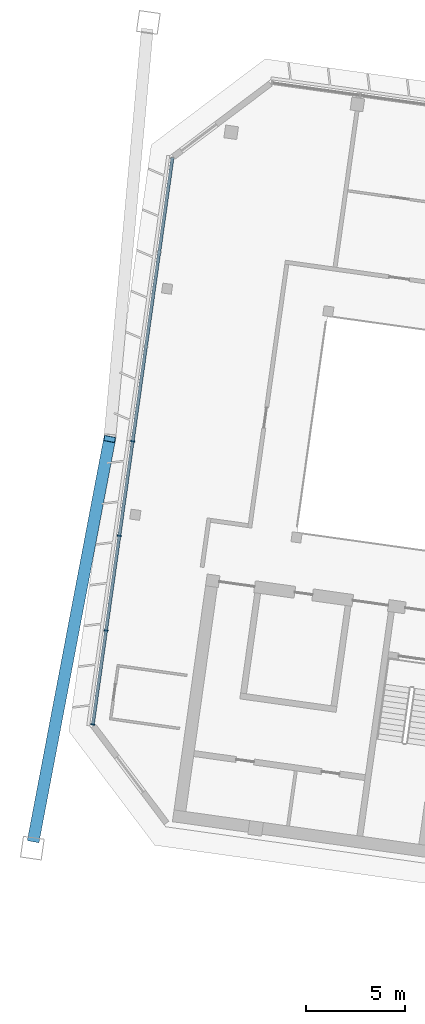
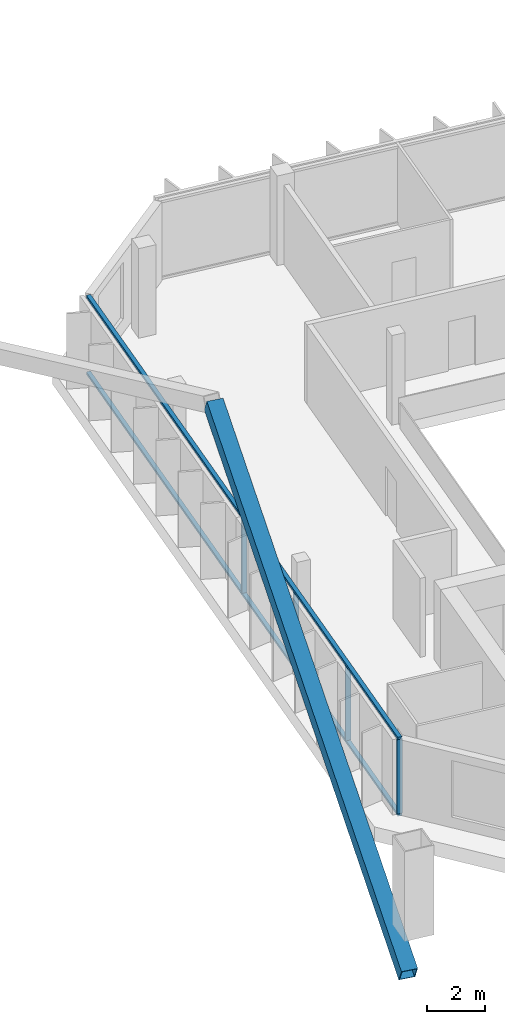
# One storey, part 2 of 19: 7 members, 1 element without a shape of its own.
"""IFC4 building model written with IfcOpenShell, lengths in metres."""

from ifc_helpers import new_model, si_unit, direction, frame, origin, origin_2d, place, context, subcontext, project, spatial, rectangle, hollow_rectangle, extrude, material, material_profile, profile_set, type_object, element, aggregate, save


model = new_model("IFC4")

# Units and contexts
model_context = context("Model", 3, precision=1e-05, world=origin(), true_north=direction((0.0, 1.0)))
body_context = subcontext(model_context, "Body", "Model", "MODEL_VIEW")
ifc_project = project(units=[si_unit("LENGTHUNIT", "METRE"), si_unit("AREAUNIT", "SQUARE_METRE"), si_unit("VOLUMEUNIT", "CUBIC_METRE"), si_unit("PLANEANGLEUNIT", "RADIAN"), si_unit("MASSUNIT", "GRAM", prefix="KILO")], contexts=[model_context])

# Site, building, storey
site_placement = place(None, origin())
site = spatial("IfcSite", under=ifc_project, at=site_placement, CompositionType="ELEMENT")
building_placement = place(site_placement, origin())
building = spatial("IfcBuilding", under=site, at=building_placement, Name="Mirante Cascada Hotel Towers", CompositionType="ELEMENT")
storey_placement = place(building_placement, frame((0.0, 0.0, 239.4)))
storey = spatial("IfcBuildingStorey", under=building, at=storey_placement, Name="L57", CompositionType="ELEMENT", Elevation=239.4)

# Member
ifc_material_1 = material(Name="Steel ASTM A572 Gr 50", Category="steel")
ifc_material_profile_1 = material_profile(ifc_material_1, hollow_rectangle(XDim=0.6, YDim=0.6, WallThickness=0.028, at=origin_2d()), Name="Box brace 600x600x28 ASTM A572 Gr 50")
ifc_profile_set_1 = profile_set([ifc_material_profile_1], Name="Steel ASTM A572 Gr 50")
member_type_1 = type_object("IfcMemberType", Name="Box brace 600x600x28 ASTM A572 Gr 50", PredefinedType="BRACE", material=ifc_profile_set_1)
member_1_placement = place(storey_placement, frame((-70.4885, -17.0496, -2.1856), z_axis=(0.1657738, 0.8724359, 0.4597549), x_axis=(-0.9824222, 0.1866726, 0.0)))
element("IfcMember", 1, at=member_1_placement, inside=storey, type_object=member_type_1, Name="brace T1 L57 1", PredefinedType="BRACE", context=body_context, shape_type="SweptSolid", body=[
    extrude(hollow_rectangle(XDim=0.6, YDim=0.6, WallThickness=0.028, at=origin_2d()), origin(), (0.0, 0.0, 1.0), 23.0977),
])

# Curtain wall, members
ifc_material_2 = material(Name="Aluminium mullion and transom frame with clear laminated glass", Category="aluminium")
curtain_wall_type = type_object("IfcCurtainWallType", Name="End ribbon curtain wall ECW2", PredefinedType="NOTDEFINED", material=ifc_material_2)
curtain_wall_placement = place(storey_placement, origin())
curtain_wall = element("IfcCurtainWall", 2, at=curtain_wall_placement, inside=storey, type_object=curtain_wall_type, Name="Outer end wall T1 L57", PredefinedType="NOTDEFINED")
ifc_material_3 = material(Name="Anodised aluminium extrusion", Category="aluminium")
ifc_material_profile_2 = material_profile(ifc_material_3, rectangle(XDim=0.2, YDim=0.065, at=origin_2d()), Name="ECW2 MULLION 65x200")
ifc_profile_set_2 = profile_set([ifc_material_profile_2], Name="Anodised aluminium extrusion")
member_type_2 = type_object("IfcMemberType", Name="ECW2 mullion 65x200", PredefinedType="MULLION", material=ifc_profile_set_2)
member_2_placement = place(storey_placement, frame((-67.5059, -11.2758, 0.1), z_axis=(0.0, 0.0, 1.0), x_axis=(-0.9902681, 0.1391731, 0.0)))
member_2 = element("IfcMember", 3, at=member_2_placement, type_object=member_type_2, Name="ECW2 mullion 1", PredefinedType="MULLION", context=body_context, shape_type="SweptSolid", body=[
    extrude(rectangle(XDim=0.2, YDim=0.065, at=origin_2d()), origin(), (0.0, 0.0, 1.0), 3.15),
])
member_3_placement = place(storey_placement, frame((-66.8407, -6.5422, 0.1), z_axis=(0.0, 0.0, 1.0), x_axis=(-0.9902681, 0.1391731, 0.0)))
member_3 = element("IfcMember", 4, at=member_3_placement, type_object=member_type_2, Name="ECW2 mullion 2", PredefinedType="MULLION", context=body_context, shape_type="SweptSolid", body=[
    extrude(rectangle(XDim=0.2, YDim=0.065, at=origin_2d()), origin(), (0.0, 0.0, 1.0), 3.15),
])
member_4_placement = place(storey_placement, frame((-66.1709, -1.7764, 0.1), z_axis=(0.0, 0.0, 1.0), x_axis=(-0.9902681, 0.1391731, 0.0)))
member_4 = element("IfcMember", 5, at=member_4_placement, type_object=member_type_2, Name="ECW2 mullion 3", PredefinedType="MULLION", context=body_context, shape_type="SweptSolid", body=[
    extrude(rectangle(XDim=0.2, YDim=0.065, at=origin_2d()), origin(), (0.0, 0.0, 1.0), 3.15),
])
member_5_placement = place(storey_placement, frame((-65.5011, 2.9894, 0.1), z_axis=(0.0, 0.0, 1.0), x_axis=(-0.9902681, 0.1391731, 0.0)))
member_5 = element("IfcMember", 6, at=member_5_placement, type_object=member_type_2, Name="ECW2 mullion 4", PredefinedType="MULLION", context=body_context, shape_type="SweptSolid", body=[
    extrude(rectangle(XDim=0.2, YDim=0.065, at=origin_2d()), origin(), (0.0, 0.0, 1.0), 3.15),
])
ifc_material_4 = material(Name="Anodised aluminium extrusion", Category="aluminium")
ifc_material_profile_3 = material_profile(ifc_material_4, rectangle(XDim=0.16, YDim=0.1, at=origin_2d()), Name="ECW2 TRANSOM 100x160")
ifc_profile_set_3 = profile_set([ifc_material_profile_3], Name="Anodised aluminium extrusion")
member_type_3 = type_object("IfcMemberType", Name="ECW2 transom 100x160", PredefinedType="USERDEFINED", material=ifc_profile_set_3)
member_6_placement = place(storey_placement, frame((-67.5105, -11.308, 0.05), z_axis=(0.1391757, 0.9902677, 0.0), x_axis=(-0.9902677, 0.1391757, 0.0)))
member_6 = element("IfcMember", 7, at=member_6_placement, type_object=member_type_3, Name="ECW2 sill transom", ObjectType="TRANSOM", PredefinedType="USERDEFINED", context=body_context, shape_type="SweptSolid", body=[
    extrude(rectangle(XDim=0.16, YDim=0.1, at=origin_2d()), origin(), (0.0, 0.0, 1.0), 28.8757),
])
member_7_placement = place(storey_placement, frame((-67.5105, -11.308, 3.3), z_axis=(0.1391757, 0.9902677, 0.0), x_axis=(-0.9902677, 0.1391757, 0.0)))
member_7 = element("IfcMember", 8, at=member_7_placement, type_object=member_type_3, Name="ECW2 head transom", ObjectType="TRANSOM", PredefinedType="USERDEFINED", context=body_context, shape_type="SweptSolid", body=[
    extrude(rectangle(XDim=0.16, YDim=0.1, at=origin_2d()), origin(), (0.0, 0.0, 1.0), 28.8757),
])
aggregate(curtain_wall, [member_6, member_7, member_2, member_3, member_4, member_5])

save(model, "model.ifc")
